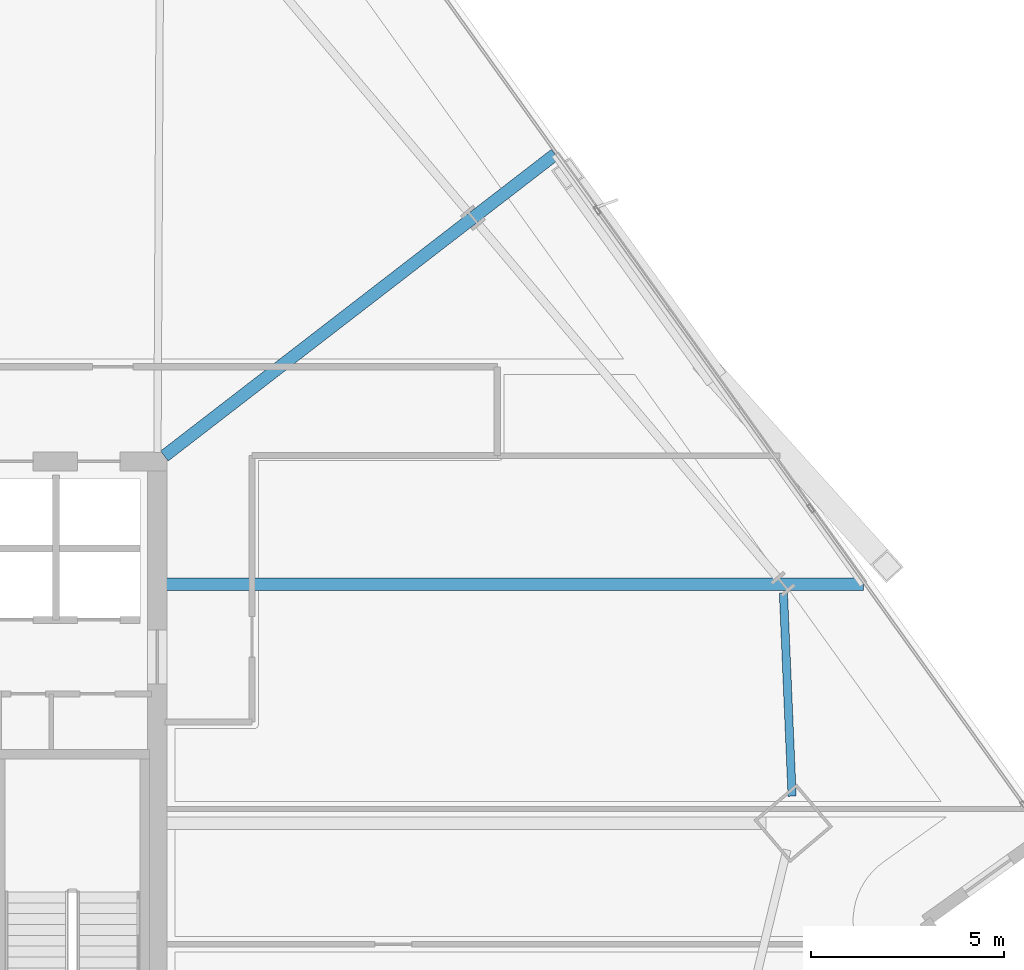
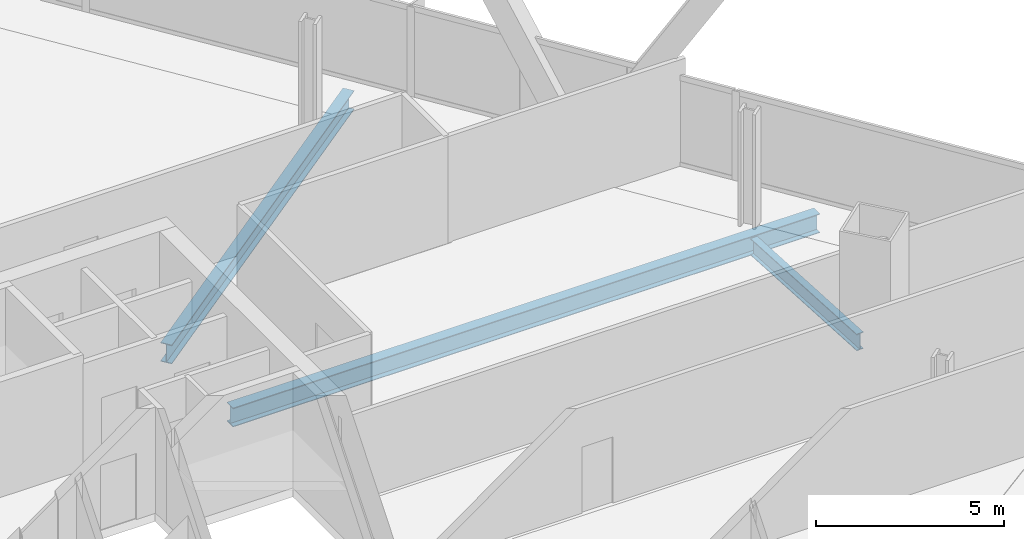
# One storey, part 17 of 33: 3 beams.
"""IFC4 building model written with IfcOpenShell, lengths in metres."""

import ifcopenshell
import ifcopenshell.guid

model = None  # the IFC model being written
_history = None  # IfcOwnerHistory: only IFC2X3 demands one
_inside = {}  # id of a spatial element -> (the spatial element, [elements in it])
_under = {}  # id of a project, library or spatial element -> (it, [spatial elements below it])
_declared = {}  # id of a project -> (the project, [libraries it declares])
_typed = {}  # id of a type object -> (the type object, [elements of that type])
_made_of = {}  # id of a material, layer set ... -> (it, [elements and type objects made of it])


def new_model(schema):
    """Start an empty IFC model of exactly this schema.

    Asked for "IFC4X3", IfcOpenShell would pick the latest addendum, in which some entities
    have other attributes; the version numbers below select the first issue.
    IFC2X3 requires an IfcOwnerHistory on every rooted entity: one is made here for all.
    """
    global model, _history
    if schema == "IFC4X3":
        model = ifcopenshell.file(schema_version=(4, 3, 0, 0))
    else:
        model = ifcopenshell.file(schema=schema)
    _inside.clear()
    _under.clear()
    _declared.clear()
    _typed.clear()
    _made_of.clear()
    _history = None
    if model.schema == "IFC2X3":
        org = make("IfcOrganization", Name="unknown")
        user = make(
            "IfcPersonAndOrganization",
            ThePerson=make("IfcPerson", FamilyName="unknown"),
            TheOrganization=org,
        )
        app = make(
            "IfcApplication",
            ApplicationDeveloper=org,
            Version="unknown",
            ApplicationFullName="unknown",
            ApplicationIdentifier="unknown",
        )
        _history = make(
            "IfcOwnerHistory",
            OwningUser=user,
            OwningApplication=app,
            ChangeAction="ADDED",
            CreationDate=0,
        )
    return model


def make(cls, **values):
    """One entity of the class cls with the attributes given. An attribute that is None is left unset."""
    return model.create_entity(
        cls, **{name: value for name, value in values.items() if value is not None}
    )


def rooted(cls, **values):
    """An entity with a GlobalId (a new one), such as an element, a storey or a relation."""
    return make(cls, GlobalId=ifcopenshell.guid.new(), OwnerHistory=_history, **values)


def si_unit(unit_type, name, prefix=None):
    """IfcSIUnit, for example si_unit("LENGTHUNIT", "METRE", prefix="MILLI")."""
    return make("IfcSIUnit", UnitType=unit_type, Prefix=prefix, Name=name)


def assignment(units):
    """IfcUnitAssignment: the units of a project."""
    return None if units is None else make("IfcUnitAssignment", Units=units)


def point(xyz):
    """IfcCartesianPoint."""
    return None if xyz is None else make("IfcCartesianPoint", Coordinates=xyz)


def direction(xyz):
    """IfcDirection."""
    return None if xyz is None else make("IfcDirection", DirectionRatios=xyz)


def frame(location, z_axis=None, x_axis=None):
    """IfcAxis2Placement3D, a coordinate frame: its origin and axes. An axis left out is left unset."""
    return make(
        "IfcAxis2Placement3D",
        Location=point(location),
        Axis=direction(z_axis),
        RefDirection=direction(x_axis),
    )


def frame_2d(location, x_axis=None):
    """IfcAxis2Placement2D, a coordinate frame in the plane: its origin and x axis."""
    return make(
        "IfcAxis2Placement2D", Location=point(location), RefDirection=direction(x_axis)
    )


def origin():
    """The frame at (0, 0, 0) with its axes left unset."""
    return frame((0.0, 0.0, 0.0))


def origin_2d():
    """The frame at (0, 0) in the plane with its x axis left unset."""
    return frame_2d((0.0, 0.0))


def place(relative_to, where):
    """IfcLocalPlacement: puts the frame where relative to a parent placement (None: the world)."""
    return make(
        "IfcLocalPlacement", PlacementRelTo=relative_to, RelativePlacement=where
    )


def context(
    kind, dimensions, precision=None, world=None, true_north=None, identifier=None
):
    """IfcGeometricRepresentationContext, for example the 3D "Model" context."""
    return make(
        "IfcGeometricRepresentationContext",
        ContextIdentifier=identifier,
        ContextType=kind,
        CoordinateSpaceDimension=dimensions,
        Precision=precision,
        WorldCoordinateSystem=world,
        TrueNorth=true_north,
    )


def subcontext(parent, identifier, kind, view, scale=None):
    """IfcGeometricRepresentationSubContext, for example "Body" below "Model"."""
    return make(
        "IfcGeometricRepresentationSubContext",
        ContextIdentifier=identifier,
        ContextType=kind,
        ParentContext=parent,
        TargetScale=scale,
        TargetView=view,
    )


def project(units=None, contexts=None):
    """IfcProject with its units and contexts."""
    return rooted(
        "IfcProject",
        Name="project",
        RepresentationContexts=contexts,
        UnitsInContext=assignment(units),
    )


def spatial(cls, under=None, at=None, **own):
    """A site, building, storey or space (cls), placed at a placement, below another one or the project."""
    s = rooted(cls, ObjectPlacement=at, **own)
    if under is not None:
        _under.setdefault(under.id(), (under, []))[1].append(s)
    return s


def profile(cls, at=None, kind="AREA", **sizes):
    """A parametric profile (cls). Its sizes go by their IFC names, for example OverallWidth=200.0."""
    return make(cls, ProfileType=kind, Position=at, **sizes)


def i_section(**sizes):
    """IfcIShapeProfileDef."""
    return profile("IfcIShapeProfileDef", **sizes)


def extrude(swept, where, along, depth):
    """IfcExtrudedAreaSolid: the profile swept, set in the frame where, extruded along a direction by depth."""
    return make(
        "IfcExtrudedAreaSolid",
        SweptArea=swept,
        Position=where,
        ExtrudedDirection=direction(along),
        Depth=depth,
    )


def shape(context_of_items, identifier, shape_type, items):
    """IfcShapeRepresentation: the items that make up one representation, for example the "Body"."""
    return make(
        "IfcShapeRepresentation",
        ContextOfItems=context_of_items,
        RepresentationIdentifier=identifier,
        RepresentationType=shape_type,
        Items=items,
    )


def material(Name=None, Category=None):
    """IfcMaterial."""
    return make("IfcMaterial", Name=Name, Category=Category)


def material_profile(
    of_material, cross_section, Name=None, Category=None, Priority=None
):
    """IfcMaterialProfile: a cross section and its material."""
    return make(
        "IfcMaterialProfile",
        Name=Name,
        Material=of_material,
        Profile=cross_section,
        Priority=Priority,
        Category=Category,
    )


def profile_set(profiles, Name=None, composite=None):
    """IfcMaterialProfileSet."""
    return make(
        "IfcMaterialProfileSet",
        Name=Name,
        MaterialProfiles=profiles,
        CompositeProfile=composite,
    )


def made_of(thing, what):
    """Note that an element or type object is made of a material, layer set ...; save() writes the relation."""
    if what is not None:
        _made_of.setdefault(what.id(), (what, []))[1].append(thing)
    return thing


def type_object(cls, material=None, **own):
    """A type object (cls), such as IfcWallType, which elements share."""
    return made_of(rooted(cls, **own), material)


def element(
    cls,
    number,
    at=None,
    inside=None,
    cuts=None,
    type_object=None,
    material=None,
    context=None,
    identifier="Body",
    shape_type=None,
    held_by="IfcProductDefinitionShape",
    body=None,
    shapes=None,
    **own,
):
    """One element of the class cls, such as IfcWall. Its Tag is "e" and its number.

    at: its placement. inside: the storey or other place that contains it. cuts: it is an
    opening in that element (IfcRelVoidsElement). A single representation is given by context,
    identifier, shape_type and body (its items); several are given by shapes. held_by: the class
    of the entity that holds the representations. save() writes the other relations.
    """
    e = rooted(cls, Tag="e%d" % number, ObjectPlacement=at, **own)
    if body is not None:
        shapes = [shape(context, identifier, shape_type, body)]
    if shapes is not None:
        e.Representation = make(held_by, Representations=shapes)
    if inside is not None:
        _inside.setdefault(inside.id(), (inside, []))[1].append(e)
    if cuts is not None:
        rooted(
            "IfcRelVoidsElement", RelatingBuildingElement=cuts, RelatedOpeningElement=e
        )
    if type_object is not None:
        _typed.setdefault(type_object.id(), (type_object, []))[1].append(e)
    return made_of(e, material)


def aggregate(whole, parts):
    """IfcRelAggregates: a whole, such as a stair, and the parts it consists of."""
    return rooted("IfcRelAggregates", RelatingObject=whole, RelatedObjects=parts)


def save(model, path):
    """Write the relations noted so far, then the file.

    IfcRelAggregates (storeys below a building ...), IfcRelContainedInSpatialStructure (elements
    in a storey), IfcRelDefinesByType, IfcRelAssociatesMaterial and IfcRelDeclares: one each for
    every whole, place, type object, material and project.
    """
    for whole, parts in _under.values():
        aggregate(whole, parts)
    for where, things in _inside.values():
        rooted(
            "IfcRelContainedInSpatialStructure",
            RelatedElements=things,
            RelatingStructure=where,
        )
    for kind, things in _typed.values():
        rooted("IfcRelDefinesByType", RelatedObjects=things, RelatingType=kind)
    for what, things in _made_of.values():
        rooted("IfcRelAssociatesMaterial", RelatedObjects=things, RelatingMaterial=what)
    for by, libraries in _declared.values():
        rooted("IfcRelDeclares", RelatingContext=by, RelatedDefinitions=libraries)
    model.write(path)


model = new_model("IFC4")

# Units and contexts
model_context = context("Model", 3, precision=1e-05, world=origin(), true_north=direction((0.0, 1.0)))
body_context = subcontext(model_context, "Body", "Model", "MODEL_VIEW")
ifc_project = project(units=[si_unit("LENGTHUNIT", "METRE"), si_unit("AREAUNIT", "SQUARE_METRE"), si_unit("VOLUMEUNIT", "CUBIC_METRE"), si_unit("PLANEANGLEUNIT", "RADIAN"), si_unit("MASSUNIT", "GRAM", prefix="KILO")], contexts=[model_context])

# Site, building, storey
site_placement = place(None, origin())
site = spatial("IfcSite", under=ifc_project, at=site_placement, CompositionType="ELEMENT")
building_placement = place(site_placement, origin())
building = spatial("IfcBuilding", under=site, at=building_placement, Name="Haldenkirk Collegiate Tower", CompositionType="ELEMENT")
storey_placement = place(building_placement, frame((0.0, 0.0, 148.199951171875)))
storey = spatial("IfcBuildingStorey", under=building, at=storey_placement, Name="L36", CompositionType="ELEMENT", Elevation=148.199951171875)

# Beams
ifc_material = material(Name="Steel ASTM A992 Grade 50", Category="steel")
ifc_material_profile_1 = material_profile(ifc_material, i_section(OverallWidth=0.324951171875, OverallDepth=0.615966796875, WebThickness=0.013916015625, FlangeThickness=0.021484375, at=origin_2d()), Name="W24X117")
ifc_profile_set_1 = profile_set([ifc_material_profile_1], Name="Steel ASTM A992 Grade 50")
beam_type_1 = type_object("IfcBeamType", Name="BM-GIRDER-W24X117", PredefinedType="BEAM", material=ifc_profile_set_1)
beam_1_placement = place(storey_placement, frame((63.281005859375, 30.82421875, -0.597900390625), z_axis=(-1.0, 0.0, 0.0), x_axis=(0.0, -1.0, 0.0)))
element("IfcBeam", 1, at=beam_1_placement, inside=storey, type_object=beam_type_1, Name="L36 primary floor girder 08", PredefinedType="BEAM", context=body_context, shape_type="SweptSolid", body=[
    extrude(i_section(OverallWidth=0.324951171875, OverallDepth=0.615966796875, WebThickness=0.013916015625, FlangeThickness=0.021484375, at=origin_2d()), origin(), (0.0, 0.0, 1.0), 18.051025390625),
])
beam_2_placement = place(storey_placement, frame((55.300537109375, 41.95068359375, -0.597900390625), z_axis=(-0.791605394557, -0.611032649952, 0.0), x_axis=(0.611032649952, -0.791605394557, 0.0)))
element("IfcBeam", 2, at=beam_2_placement, inside=storey, type_object=beam_type_1, Name="L36 primary floor girder 09", PredefinedType="BEAM", context=body_context, shape_type="SweptSolid", body=[
    extrude(i_section(OverallWidth=0.324951171875, OverallDepth=0.615966796875, WebThickness=0.013916015625, FlangeThickness=0.021484375, at=origin_2d()), origin(), (0.0, 0.0, 1.0), 12.7822265625),
])
ifc_material_profile_2 = material_profile(ifc_material, i_section(OverallWidth=0.2119140625, OverallDepth=0.5439453125, WebThickness=0.01318359375, FlangeThickness=0.021240234375, at=origin_2d()), Name="W21X83")
ifc_profile_set_2 = profile_set([ifc_material_profile_2], Name="Steel ASTM A992 Grade 50")
beam_type_2 = type_object("IfcBeamType", Name="BM-SPANDREL-W21X83", PredefinedType="SPANDREL", material=ifc_profile_set_2)
beam_3_placement = place(storey_placement, frame((61.434814453125, 25.33349609375, -0.56201171875), z_axis=(-0.042833703015, 0.999082215779, 0.0), x_axis=(-0.999082215779, -0.042833703015, 0.0)))
element("IfcBeam", 3, at=beam_3_placement, inside=storey, type_object=beam_type_2, Name="L36 perimeter spandrel beam 05", PredefinedType="SPANDREL", context=body_context, shape_type="SweptSolid", body=[
    extrude(i_section(OverallWidth=0.2119140625, OverallDepth=0.5439453125, WebThickness=0.01318359375, FlangeThickness=0.021240234375, at=origin_2d()), origin(), (0.0, 0.0, 1.0), 5.2666015625),
])

save(model, "model.ifc")
